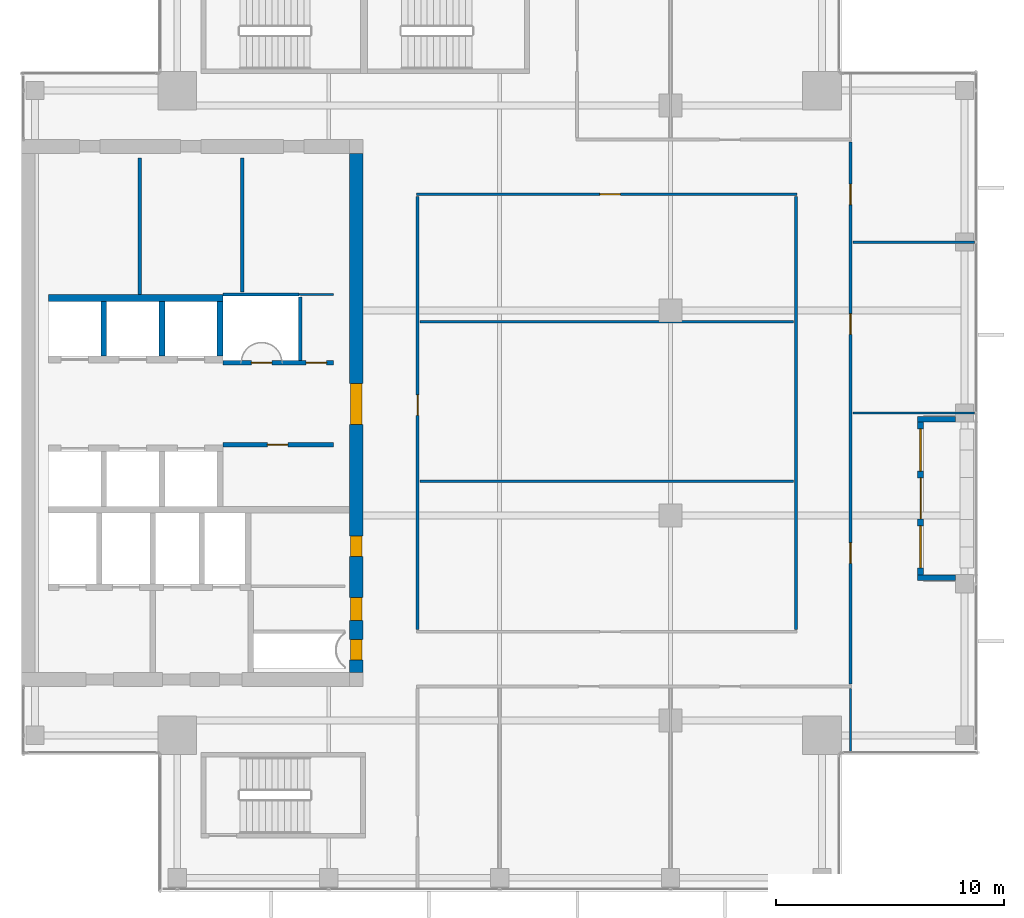
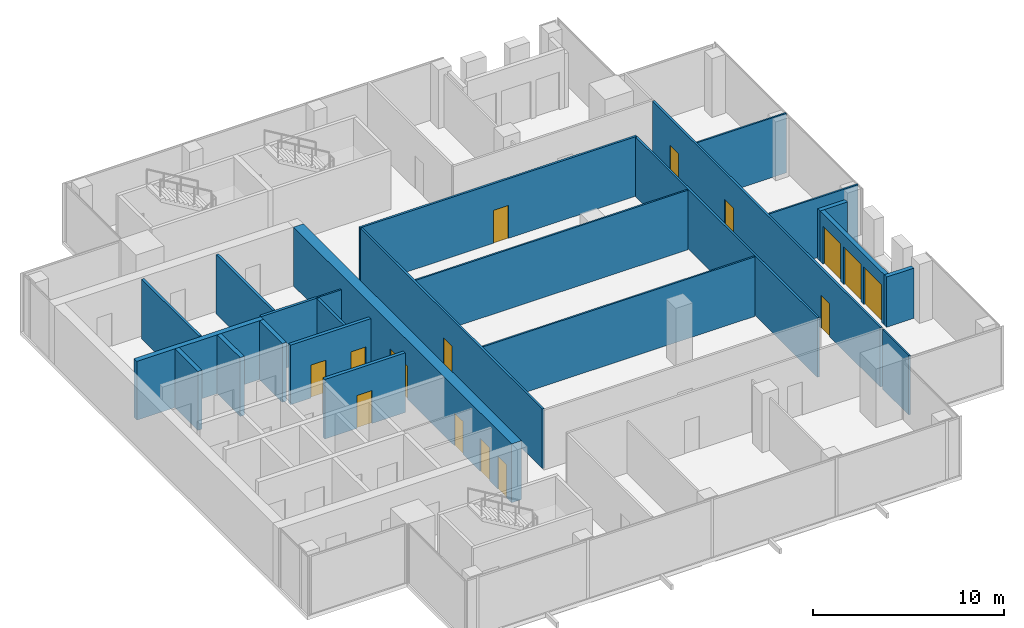
# One storey, part 25 of 29: 24 walls, 13 doors, 2 windows, 15 openings.
"""IFC4 building model written with IfcOpenShell, lengths in metres."""

from ifc_helpers import new_model, si_unit, direction, frame, frame_2d, origin, place, context, subcontext, project, spatial, rectangle, extrude, source, transform, mapped, material, layer, layer_set, type_object, element, fill, save


model = new_model("IFC4")

# Units and contexts
model_context = context("Model", 3, precision=1e-05, world=origin(), true_north=direction((0.0, 1.0)))
body_context = subcontext(model_context, "Body", "Model", "MODEL_VIEW")
ifc_project = project(units=[si_unit("LENGTHUNIT", "METRE"), si_unit("AREAUNIT", "SQUARE_METRE"), si_unit("VOLUMEUNIT", "CUBIC_METRE"), si_unit("PLANEANGLEUNIT", "RADIAN"), si_unit("MASSUNIT", "GRAM", prefix="KILO")], contexts=[model_context])

# Site, building, storey
site_placement = place(None, origin())
site = spatial("IfcSite", under=ifc_project, at=site_placement, CompositionType="ELEMENT")
building_placement = place(site_placement, origin())
building = spatial("IfcBuilding", under=site, at=building_placement, Name="Khomas Fold Tower", CompositionType="ELEMENT")
storey_placement = place(building_placement, frame((0.0, 0.0, 286.199951171875)))
storey = spatial("IfcBuildingStorey", under=building, at=storey_placement, Name="L64", CompositionType="ELEMENT", Elevation=286.199951171875)

# Walls
ifc_material_1 = material(Name="Concrete C50/60", Category="concrete")
ifc_layer_1 = layer(ifc_material_1, 0.25)
ifc_layer_set_1 = layer_set([ifc_layer_1], Name="Concrete C50/60")
wall_type_1 = type_object("IfcWallType", Name="Shaft wall 250", PredefinedType="STANDARD", material=ifc_layer_set_1)
shared_shape_1 = source(origin(), body_context, "Body", "SweptSolid", [
    extrude(rectangle(XDim=2.39990234375, YDim=0.25, at=frame_2d((1.199951171875, 0.0))), origin(), (0.0, 0.0, 1.0), 3.75),
])
for number, where, z_axis, x_axis, name in (
    (1, (9.625, 29.5, 0.0), (0.0, 0.0, 1.0), (0.0, 1.0, 0.0), "Core wall SW-HRN-P1"),
    (2, (12.175048828125, 29.5, 0.0), (0.0, 0.0, 1.0), (0.0, 1.0, 0.0), "Core wall SW-HRN-P2"),
    (3, (14.72509765625, 29.5, 0.0), (0.0, 0.0, 1.0), (0.0, 1.0, 0.0), "Core wall SW-HRN-PE"),
):
    element("IfcWall", number, at=place(storey_placement, frame(where, z_axis=z_axis, x_axis=x_axis)), inside=storey, type_object=wall_type_1, Name=name, PredefinedType="STANDARD", context=body_context, shape_type="MappedRepresentation", body=[
        mapped(shared_shape_1, transform((0.0, 0.0, 0.0))),
    ])

# Wall, openings, doors
ifc_material_2 = material(Name="Concrete C50/60", Category="concrete")
ifc_layer_2 = layer(ifc_material_2, 0.60009765625)
ifc_layer_set_2 = layer_set([ifc_layer_2], Name="Concrete C50/60")
wall_type_2 = type_object("IfcWallType", Name="Core wall 600", PredefinedType="SHEAR", material=ifc_layer_set_2)
shared_shape_2 = source(origin(), body_context, "Body", "SweptSolid", [
    extrude(rectangle(XDim=22.7998046875, YDim=0.60009765625, at=frame_2d((11.39990234375, 0.0))), origin(), (0.0, 0.0, 1.0), 3.75),
])
wall_1_placement = place(storey_placement, frame((20.699951171875, 15.60009765625, 0.0), z_axis=(0.0, 0.0, 1.0), x_axis=(0.0, 1.0, 0.0)))
wall_1 = element("IfcWall", 4, at=wall_1_placement, inside=storey, type_object=wall_type_2, Name="Core wall CW-U-E-L63", PredefinedType="SHEAR", context=body_context, shape_type="MappedRepresentation", body=[
    mapped(shared_shape_2, transform((0.0, 0.0, 0.0))),
])
shared_shape_3 = source(origin(), body_context, "Body", "SweptSolid", [
    extrude(rectangle(XDim=1.800048828125, YDim=2.10009765625, at=frame_2d((0.89990234375, 1.050048828125))), frame((0.0, 0.31005859375, 0.0), z_axis=(0.0, -1.0, 0.0), x_axis=(1.0, 0.0, 0.0)), (0.0, 0.0, 1.0), 0.6201171875),
])
opening_1_placement = place(wall_1_placement, frame((10.89990234375, 0.0, 0.0)))
opening_1 = element("IfcOpeningElement", 5, at=opening_1_placement, cuts=wall_1, Name="Opening 0015", PredefinedType="OPENING", context=body_context, shape_type="MappedRepresentation", body=[
    mapped(shared_shape_3, transform((0.0, 0.0, 0.0))),
])
shared_shape_4 = source(origin(), body_context, "Body", "SweptSolid", [
    extrude(rectangle(XDim=0.89990234375, YDim=2.10009765625, at=frame_2d((0.449951171875, 1.050048828125))), frame((0.0, 0.31005859375, 0.0), z_axis=(0.0, -1.0, 0.0), x_axis=(1.0, 0.0, 0.0)), (0.0, 0.0, 1.0), 0.6201171875),
])
opening_2_placement = place(wall_1_placement, frame((0.550048828125, 0.0, 0.0)))
opening_2 = element("IfcOpeningElement", 6, at=opening_2_placement, cuts=wall_1, Name="Opening 0003", PredefinedType="OPENING", context=body_context, shape_type="MappedRepresentation", body=[
    mapped(shared_shape_4, transform((0.0, 0.0, 0.0))),
])
shared_shape_5 = source(origin(), body_context, "Body", "SweptSolid", [
    extrude(rectangle(XDim=1.0, YDim=2.10009765625, at=frame_2d((0.5, 1.050048828125))), frame((0.0, 0.31005859375, 0.0), z_axis=(0.0, -1.0, 0.0), x_axis=(1.0, 0.0, 0.0)), (0.0, 0.0, 1.0), 0.6201171875),
])
opening_3_placement = place(wall_1_placement, frame((2.300048828125, 0.0, 0.0)))
opening_3 = element("IfcOpeningElement", 7, at=opening_3_placement, cuts=wall_1, Name="Opening 0006", PredefinedType="OPENING", context=body_context, shape_type="MappedRepresentation", body=[
    mapped(shared_shape_5, transform((0.0, 0.0, 0.0))),
])
opening_4_placement = place(wall_1_placement, frame((5.10009765625, 0.0, 0.0)))
opening_4 = element("IfcOpeningElement", 8, at=opening_4_placement, cuts=wall_1, Name="Opening 0008", PredefinedType="OPENING", context=body_context, shape_type="MappedRepresentation", body=[
    mapped(shared_shape_4, transform((0.0, 0.0, 0.0))),
])
ifc_material_3 = material(Name="Steel door leaf", Category="steel")
door_type_1 = type_object("IfcDoorType", Name="Lobby door 1800x2100", OperationType="DOUBLE_DOOR_SINGLE_SWING", PredefinedType="DOOR", material=ifc_material_3)
shared_shape_6 = source(origin(), body_context, "Body", "SweptSolid", [
    extrude(rectangle(XDim=1.800048828125, YDim=2.10009765625, at=frame_2d((0.89990234375, 1.050048828125))), frame((0.0, 0.25, 0.0), z_axis=(0.0, -1.0, 0.0), x_axis=(1.0, 0.0, 0.0)), (0.0, 0.0, 1.0), 0.5),
])
door_1_placement = place(opening_1_placement, origin())
door_1 = element("IfcDoor", 9, at=door_1_placement, inside=storey, type_object=door_type_1, Name="Lobby door", OperationType="DOUBLE_DOOR_SINGLE_SWING", OverallHeight=2.10009765625, OverallWidth=1.800048828125, PredefinedType="DOOR", context=body_context, shape_type="MappedRepresentation", body=[
    mapped(shared_shape_6, transform((0.0, 0.0, 0.0))),
])
fill(opening_1, door_1)
ifc_material_4 = material(Name="Steel door leaf", Category="steel")
door_type_2 = type_object("IfcDoorType", Name="Plant room door 900x2100 right-hand", OperationType="SINGLE_SWING_RIGHT", PredefinedType="DOOR", material=ifc_material_4)
shared_shape_7 = source(origin(), body_context, "Body", "SweptSolid", [
    extrude(rectangle(XDim=0.89990234375, YDim=2.10009765625, at=frame_2d((0.449951171875, 1.050048828125))), frame((0.0, 0.25, 0.0), z_axis=(0.0, -1.0, 0.0), x_axis=(1.0, 0.0, 0.0)), (0.0, 0.0, 1.0), 0.5),
])
door_2_placement = place(opening_2_placement, origin())
door_2 = element("IfcDoor", 10, at=door_2_placement, inside=storey, type_object=door_type_2, Name="Plant room door", OperationType="SINGLE_SWING_RIGHT", OverallHeight=2.10009765625, OverallWidth=0.89990234375, PredefinedType="DOOR", context=body_context, shape_type="MappedRepresentation", body=[
    mapped(shared_shape_7, transform((0.0, 0.0, 0.0))),
])
fill(opening_2, door_2)
ifc_material_5 = material(Name="Timber door leaf", Category="wood")
door_type_3 = type_object("IfcDoorType", Name="Door 900x2100 right-hand", OperationType="SINGLE_SWING_RIGHT", PredefinedType="DOOR", material=ifc_material_5)
door_3_placement = place(opening_4_placement, origin())
door_3 = element("IfcDoor", 11, at=door_3_placement, inside=storey, type_object=door_type_3, Name="Door", OperationType="SINGLE_SWING_RIGHT", OverallHeight=2.10009765625, OverallWidth=0.89990234375, PredefinedType="DOOR", context=body_context, shape_type="MappedRepresentation", body=[
    mapped(shared_shape_7, transform((0.0, 0.0, 0.0))),
])
fill(opening_4, door_3)
ifc_material_6 = material(Name="Timber door leaf", Category="wood")
door_type_4 = type_object("IfcDoorType", Name="WC door 1000x2100 right-hand", OperationType="SINGLE_SWING_RIGHT", PredefinedType="DOOR", material=ifc_material_6)
shared_shape_8 = source(origin(), body_context, "Body", "SweptSolid", [
    extrude(rectangle(XDim=1.0, YDim=2.10009765625, at=frame_2d((0.5, 1.050048828125))), frame((0.0, 0.25, 0.0), z_axis=(0.0, -1.0, 0.0), x_axis=(1.0, 0.0, 0.0)), (0.0, 0.0, 1.0), 0.5),
])
door_4_placement = place(opening_3_placement, origin())
door_4 = element("IfcDoor", 12, at=door_4_placement, inside=storey, type_object=door_type_4, Name="WC door", OperationType="SINGLE_SWING_RIGHT", OverallHeight=2.10009765625, OverallWidth=1.0, PredefinedType="DOOR", context=body_context, shape_type="MappedRepresentation", body=[
    mapped(shared_shape_8, transform((0.0, 0.0, 0.0))),
])
fill(opening_3, door_4)

# Wall
ifc_material_7 = material(Name="Concrete C50/60", Category="concrete")
ifc_layer_3 = layer(ifc_material_7, 0.300048828125)
ifc_layer_set_3 = layer_set([ifc_layer_3], Name="Concrete C50/60")
wall_type_3 = type_object("IfcWallType", Name="Shaft wall 300", PredefinedType="STANDARD", material=ifc_layer_set_3)
shared_shape_9 = source(origin(), body_context, "Body", "SweptSolid", [
    extrude(rectangle(XDim=7.650146484375, YDim=0.300048828125, at=frame_2d((3.8251953125, 0.0))), origin(), (0.0, 0.0, 1.0), 3.75),
])
wall_2_placement = place(storey_placement, frame((7.199951171875, 32.050048828125, 0.0), z_axis=(0.0, 0.0, 1.0), x_axis=(1.0, 0.0, 0.0)))
element("IfcWall", 13, at=wall_2_placement, inside=storey, type_object=wall_type_3, Name="Core wall SW-HRN-B", PredefinedType="STANDARD", context=body_context, shape_type="MappedRepresentation", body=[
    mapped(shared_shape_9, transform((0.0, 0.0, 0.0))),
])

# Wall, openings, door, windows
ifc_material_8 = material(Name="Natural stone", Category="masonry")
ifc_layer_4 = layer(ifc_material_8, 0.0400390625)
ifc_material_9 = material(Name="Mineral wool insulation", Category="insulation")
ifc_layer_5 = layer(ifc_material_9, 0.10009765625)
ifc_material_10 = material(Name="Masonry", Category="masonry")
ifc_layer_6 = layer(ifc_material_10, 0.110107421875)
ifc_layer_set_4 = layer_set([ifc_layer_4, ifc_layer_5, ifc_layer_6], Name="Stone-faced insulated masonry")
wall_type_4 = type_object("IfcWallType", Name="BL-Balcony wall", PredefinedType="SOLIDWALL", material=ifc_layer_set_4)
shared_shape_10 = source(origin(), body_context, "Body", "SweptSolid", [
    extrude(rectangle(XDim=6.7001953125, YDim=0.25, at=frame_2d((3.35009765625, 0.0))), origin(), (0.0, 0.0, 1.0), 3.199951171875),
])
wall_3_placement = place(storey_placement, frame((45.47509765625, 19.89990234375, 0.0), z_axis=(0.0, 0.0, 1.0), x_axis=(0.0, 1.0, 0.0)))
wall_3 = element("IfcWall", 14, at=wall_3_placement, inside=storey, type_object=wall_type_4, Name="Balcony wall BAL-L64-E2", PredefinedType="SOLIDWALL", context=body_context, shape_type="MappedRepresentation", body=[
    mapped(shared_shape_10, transform((0.0, 0.0, 0.0))),
])
shared_shape_11 = source(origin(), body_context, "Body", "SweptSolid", [
    extrude(rectangle(XDim=1.85009765625, YDim=2.39990234375, at=frame_2d((0.925048828125, 1.199951171875))), frame((0.0, 0.135009765625, 0.0), z_axis=(0.0, -1.0, 0.0), x_axis=(1.0, 0.0, 0.0)), (0.0, 0.0, 1.0), 0.27001953125),
])
opening_5_placement = place(wall_3_placement, frame((0.300048828125, 0.0, 0.0)))
opening_5 = element("IfcOpeningElement", 15, at=opening_5_placement, cuts=wall_3, Name="Opening BL-W7", PredefinedType="OPENING", context=body_context, shape_type="MappedRepresentation", body=[
    mapped(shared_shape_11, transform((0.0, 0.0, 0.0))),
])
opening_6_placement = place(wall_3_placement, frame((4.550048828125, 0.0, 0.0)))
opening_6 = element("IfcOpeningElement", 16, at=opening_6_placement, cuts=wall_3, Name="Opening BL-W7", PredefinedType="OPENING", context=body_context, shape_type="MappedRepresentation", body=[
    mapped(shared_shape_11, transform((0.0, 0.0, 0.0))),
])
shared_shape_12 = source(origin(), body_context, "Body", "SweptSolid", [
    extrude(rectangle(XDim=1.800048828125, YDim=2.39990234375, at=frame_2d((0.89990234375, 1.199951171875))), frame((0.0, 0.135009765625, 0.0), z_axis=(0.0, -1.0, 0.0), x_axis=(1.0, 0.0, 0.0)), (0.0, 0.0, 1.0), 0.27001953125),
])
opening_7_placement = place(wall_3_placement, frame((2.449951171875, 0.0, 0.0)))
opening_7 = element("IfcOpeningElement", 17, at=opening_7_placement, cuts=wall_3, Name="Opening BD642", PredefinedType="OPENING", context=body_context, shape_type="MappedRepresentation", body=[
    mapped(shared_shape_12, transform((0.0, 0.0, 0.0))),
])
ifc_material_11 = material(Name="Aluminium framed double glazing", Category="aluminium")
door_type_5 = type_object("IfcDoorType", Name="BL-Glazed balcony door 1800 x 2400", OperationType="DOUBLE_DOOR_DOUBLE_SWING", PredefinedType="DOOR", material=ifc_material_11)
shared_shape_13 = source(origin(), body_context, "Body", "SweptSolid", [
    extrude(rectangle(XDim=1.800048828125, YDim=2.39990234375, at=frame_2d((0.89990234375, 1.199951171875))), frame((0.0, 0.02490234375, 0.0), z_axis=(0.0, -1.0, 0.0), x_axis=(1.0, 0.0, 0.0)), (0.0, 0.0, 1.0), 0.050048828125),
])
door_5_placement = place(opening_7_placement, origin())
door_5 = element("IfcDoor", 18, at=door_5_placement, inside=storey, type_object=door_type_5, Name="Balcony door BD642", OperationType="DOUBLE_DOOR_DOUBLE_SWING", OverallHeight=2.39990234375, OverallWidth=1.800048828125, PredefinedType="DOOR", context=body_context, shape_type="MappedRepresentation", body=[
    mapped(shared_shape_13, transform((0.0, 0.0, 0.0))),
])
fill(opening_7, door_5)
ifc_material_12 = material(Name="Aluminium framed double glazing", Category="aluminium")
window_type = type_object("IfcWindowType", Name="BL-Fixed glazing 1850 x 2400", PartitioningType="SINGLE_PANEL", PredefinedType="WINDOW", material=ifc_material_12)
shared_shape_14 = source(origin(), body_context, "Body", "SweptSolid", [
    extrude(rectangle(XDim=1.85009765625, YDim=2.39990234375, at=frame_2d((0.925048828125, 1.199951171875))), frame((0.0, 0.030029296875, 0.0), z_axis=(0.0, -1.0, 0.0), x_axis=(1.0, 0.0, 0.0)), (0.0, 0.0, 1.0), 0.06005859375),
])
window_1_placement = place(opening_5_placement, origin())
window_1 = element("IfcWindow", 19, at=window_1_placement, inside=storey, type_object=window_type, Name="Balcony glazing BAL-L64-E2-1", OverallHeight=2.39990234375, OverallWidth=1.85009765625, PartitioningType="SINGLE_PANEL", PredefinedType="WINDOW", context=body_context, shape_type="MappedRepresentation", body=[
    mapped(shared_shape_14, transform((0.0, 0.0, 0.0))),
])
fill(opening_5, window_1)
window_2_placement = place(opening_6_placement, origin())
window_2 = element("IfcWindow", 20, at=window_2_placement, inside=storey, type_object=window_type, Name="Balcony glazing BAL-L64-E2-2", OverallHeight=2.39990234375, OverallWidth=1.85009765625, PartitioningType="SINGLE_PANEL", PredefinedType="WINDOW", context=body_context, shape_type="MappedRepresentation", body=[
    mapped(shared_shape_14, transform((0.0, 0.0, 0.0))),
])
fill(opening_6, window_2)

# Walls
shared_shape_15 = source(origin(), body_context, "Body", "SweptSolid", [
    extrude(rectangle(XDim=1.64990234375, YDim=0.25, at=frame_2d((0.824951171875, 0.0))), origin(), (0.0, 0.0, 1.0), 3.199951171875),
])
for number, where, z_axis, x_axis, name in (
    (21, (47.0, 19.77490234375, 0.0), (0.0, 0.0, 1.0), (-1.0, 0.0, 0.0), "Balcony return wall BAL-L64-E2-lo"),
    (22, (47.0, 26.72509765625, 0.0), (0.0, 0.0, 1.0), (-1.0, 0.0, 0.0), "Balcony return wall BAL-L64-E2-hi"),
):
    element("IfcWall", number, at=place(storey_placement, frame(where, z_axis=z_axis, x_axis=x_axis)), inside=storey, type_object=wall_type_4, Name=name, PredefinedType="SOLIDWALL", context=body_context, shape_type="MappedRepresentation", body=[
        mapped(shared_shape_15, transform((0.0, 0.0, 0.0))),
    ])
ifc_material_13 = material(Name="Plasterboard fire partition")
ifc_layer_7 = layer(ifc_material_13, 0.14990234375)
ifc_layer_set_5 = layer_set([ifc_layer_7], Name="Plasterboard fire partition")
wall_type_5 = type_object("IfcWallType", Name="Plant room wall PW3 150", PredefinedType="PARTITIONING", material=ifc_layer_set_5)
shared_shape_16 = source(origin(), body_context, "Body", "SweptSolid", [
    extrude(rectangle(XDim=6.0, YDim=0.14990234375, at=frame_2d((3.0, 0.0))), origin(), (0.0, 0.0, 1.0), 3.800048828125),
])
wall_4_placement = place(storey_placement, frame((11.199951171875, 32.199951171875, 0.0), z_axis=(0.0, 0.0, 1.0), x_axis=(0.0, 1.0, 0.0)))
element("IfcWall", 23, at=wall_4_placement, inside=storey, type_object=wall_type_5, Name="Plant room wall", PredefinedType="PARTITIONING", context=body_context, shape_type="MappedRepresentation", body=[
    mapped(shared_shape_16, transform((0.0, 0.0, 0.0))),
])

# Wall, opening, door
ifc_material_14 = material(Name="Plasterboard partition")
ifc_layer_8 = layer(ifc_material_14, 0.125)
ifc_layer_set_6 = layer_set([ifc_layer_8], Name="Plasterboard partition")
wall_type_6 = type_object("IfcWallType", Name="Partition PW2 125", PredefinedType="PARTITIONING", material=ifc_layer_set_6)
shared_shape_17 = source(origin(), body_context, "Body", "SweptSolid", [
    extrude(rectangle(XDim=19.0, YDim=0.125, at=frame_2d((9.5, 0.0))), origin(), (0.0, 0.0, 1.0), 3.800048828125),
])
wall_5_placement = place(storey_placement, frame((23.39990234375, 17.5, 0.0), z_axis=(0.0, 0.0, 1.0), x_axis=(0.0, 1.0, 0.0)))
wall_5 = element("IfcWall", 24, at=wall_5_placement, inside=storey, type_object=wall_type_6, Name="Partition", PredefinedType="PARTITIONING", context=body_context, shape_type="MappedRepresentation", body=[
    mapped(shared_shape_17, transform((0.0, 0.0, 0.0))),
])
shared_shape_18 = source(origin(), body_context, "Body", "SweptSolid", [
    extrude(rectangle(XDim=0.89990234375, YDim=2.10009765625, at=frame_2d((0.449951171875, 1.050048828125))), frame((0.0, 0.072509765625, 0.0), z_axis=(0.0, -1.0, 0.0), x_axis=(1.0, 0.0, 0.0)), (0.0, 0.0, 1.0), 0.14501953125),
])
opening_8_placement = place(wall_5_placement, frame((9.39990234375, 0.0, 0.0)))
opening_8 = element("IfcOpeningElement", 25, at=opening_8_placement, cuts=wall_5, Name="Opening 0007", PredefinedType="OPENING", context=body_context, shape_type="MappedRepresentation", body=[
    mapped(shared_shape_18, transform((0.0, 0.0, 0.0))),
])
ifc_material_15 = material(Name="Timber door leaf", Category="wood")
door_type_6 = type_object("IfcDoorType", Name="Door 900x2100 left-hand", OperationType="SINGLE_SWING_LEFT", PredefinedType="DOOR", material=ifc_material_15)
shared_shape_19 = source(origin(), body_context, "Body", "SweptSolid", [
    extrude(rectangle(XDim=0.89990234375, YDim=2.10009765625, at=frame_2d((0.449951171875, 1.050048828125))), frame((0.0, 0.02490234375, 0.0), z_axis=(0.0, -1.0, 0.0), x_axis=(1.0, 0.0, 0.0)), (0.0, 0.0, 1.0), 0.050048828125),
])
door_6_placement = place(opening_8_placement, origin())
door_6 = element("IfcDoor", 26, at=door_6_placement, inside=storey, type_object=door_type_6, Name="Door", OperationType="SINGLE_SWING_LEFT", OverallHeight=2.10009765625, OverallWidth=0.89990234375, PredefinedType="DOOR", context=body_context, shape_type="MappedRepresentation", body=[
    mapped(shared_shape_19, transform((0.0, 0.0, 0.0))),
])
fill(opening_8, door_6)

# Wall
wall_6_placement = place(storey_placement, frame((40.0, 17.5, 0.0), z_axis=(0.0, 0.0, 1.0), x_axis=(0.0, 1.0, 0.0)))
element("IfcWall", 27, at=wall_6_placement, inside=storey, type_object=wall_type_6, Name="Partition", PredefinedType="PARTITIONING", context=body_context, shape_type="MappedRepresentation", body=[
    mapped(shared_shape_17, transform((0.0, 0.0, 0.0))),
])

# Wall, opening, door
ifc_material_16 = material(Name="Concrete C30/37", Category="concrete")
ifc_layer_9 = layer(ifc_material_16, 0.199951171875)
ifc_layer_set_7 = layer_set([ifc_layer_9], Name="Concrete C30/37")
wall_type_7 = type_object("IfcWallType", Name="Lobby wall PW4 200", PredefinedType="PARTITIONING", material=ifc_layer_set_7)
shared_shape_20 = source(origin(), body_context, "Body", "SweptSolid", [
    extrude(rectangle(XDim=4.849853515625, YDim=0.199951171875, at=frame_2d((2.4248046875, 0.0))), origin(), (0.0, 0.0, 1.0), 3.800048828125),
])
wall_7_placement = place(storey_placement, frame((14.85009765625, 25.60009765625, 0.0), z_axis=(0.0, 0.0, 1.0), x_axis=(1.0, 0.0, 0.0)))
wall_7 = element("IfcWall", 28, at=wall_7_placement, inside=storey, type_object=wall_type_7, Name="Lobby wall", PredefinedType="PARTITIONING", context=body_context, shape_type="MappedRepresentation", body=[
    mapped(shared_shape_20, transform((0.0, 0.0, 0.0))),
])
shared_shape_21 = source(origin(), body_context, "Body", "SweptSolid", [
    extrude(rectangle(XDim=0.89990234375, YDim=2.10009765625, at=frame_2d((0.449951171875, 1.050048828125))), frame((0.0, 0.10986328125, 0.0), z_axis=(0.0, -1.0, 0.0), x_axis=(1.0, 0.0, 0.0)), (0.0, 0.0, 1.0), 0.219970703125),
])
opening_9_placement = place(wall_7_placement, frame((1.949951171875, 0.0, 0.0)))
opening_9 = element("IfcOpeningElement", 29, at=opening_9_placement, cuts=wall_7, Name="Opening 0024", PredefinedType="OPENING", context=body_context, shape_type="MappedRepresentation", body=[
    mapped(shared_shape_21, transform((0.0, 0.0, 0.0))),
])
ifc_material_17 = material(Name="Steel door leaf", Category="steel")
door_type_7 = type_object("IfcDoorType", Name="Lobby door 900x2100 right-hand", OperationType="SINGLE_SWING_RIGHT", PredefinedType="DOOR", material=ifc_material_17)
door_7_placement = place(opening_9_placement, origin())
door_7 = element("IfcDoor", 30, at=door_7_placement, inside=storey, type_object=door_type_7, Name="Lobby door", OperationType="SINGLE_SWING_RIGHT", OverallHeight=2.10009765625, OverallWidth=0.89990234375, PredefinedType="DOOR", context=body_context, shape_type="MappedRepresentation", body=[
    mapped(shared_shape_19, transform((0.0, 0.0, 0.0))),
])
fill(opening_9, door_7)

# Wall, openings, doors
wall_8_placement = place(storey_placement, frame((14.85009765625, 29.199951171875, 0.0), z_axis=(0.0, 0.0, 1.0), x_axis=(1.0, 0.0, 0.0)))
wall_8 = element("IfcWall", 31, at=wall_8_placement, inside=storey, type_object=wall_type_7, Name="Lobby wall", PredefinedType="PARTITIONING", context=body_context, shape_type="MappedRepresentation", body=[
    mapped(shared_shape_20, transform((0.0, 0.0, 0.0))),
])
opening_10_placement = place(wall_8_placement, frame((1.25, 0.0, 0.0)))
opening_10 = element("IfcOpeningElement", 32, at=opening_10_placement, cuts=wall_8, Name="Opening 0003", PredefinedType="OPENING", context=body_context, shape_type="MappedRepresentation", body=[
    mapped(shared_shape_21, transform((0.0, 0.0, 0.0))),
])
opening_11_placement = place(wall_8_placement, frame((3.64990234375, 0.0, 0.0)))
opening_11 = element("IfcOpeningElement", 33, at=opening_11_placement, cuts=wall_8, Name="Opening 0021", PredefinedType="OPENING", context=body_context, shape_type="MappedRepresentation", body=[
    mapped(shared_shape_21, transform((0.0, 0.0, 0.0))),
])
door_8_placement = place(opening_10_placement, origin())
door_8 = element("IfcDoor", 34, at=door_8_placement, inside=storey, type_object=door_type_2, Name="Plant room door", OperationType="SINGLE_SWING_RIGHT", OverallHeight=2.10009765625, OverallWidth=0.89990234375, PredefinedType="DOOR", context=body_context, shape_type="MappedRepresentation", body=[
    mapped(shared_shape_19, transform((0.0, 0.0, 0.0))),
])
fill(opening_10, door_8)
ifc_material_18 = material(Name="Steel door leaf", Category="steel")
door_type_8 = type_object("IfcDoorType", Name="Lobby door 900x2100 left-hand", OperationType="SINGLE_SWING_LEFT", PredefinedType="DOOR", material=ifc_material_18)
door_9_placement = place(opening_11_placement, origin())
door_9 = element("IfcDoor", 35, at=door_9_placement, inside=storey, type_object=door_type_8, Name="Lobby door", OperationType="SINGLE_SWING_LEFT", OverallHeight=2.10009765625, OverallWidth=0.89990234375, PredefinedType="DOOR", context=body_context, shape_type="MappedRepresentation", body=[
    mapped(shared_shape_19, transform((0.0, 0.0, 0.0))),
])
fill(opening_11, door_9)

# Walls
shared_shape_22 = source(origin(), body_context, "Body", "SweptSolid", [
    extrude(rectangle(XDim=2.800048828125, YDim=0.14990234375, at=frame_2d((1.39990234375, 0.0))), origin(), (0.0, 0.0, 1.0), 3.800048828125),
])
wall_9_placement = place(storey_placement, frame((18.25, 29.300048828125, 0.0), z_axis=(0.0, 0.0, 1.0), x_axis=(0.0, 1.0, 0.0)))
element("IfcWall", 36, at=wall_9_placement, inside=storey, type_object=wall_type_5, Name="Plant room wall", PredefinedType="PARTITIONING", context=body_context, shape_type="MappedRepresentation", body=[
    mapped(shared_shape_22, transform((0.0, 0.0, 0.0))),
])
ifc_material_19 = material(Name="Plasterboard partition")
ifc_layer_10 = layer(ifc_material_19, 0.10009765625)
ifc_layer_set_8 = layer_set([ifc_layer_10], Name="Plasterboard partition")
wall_type_8 = type_object("IfcWallType", Name="Partition PW1 100", PredefinedType="PARTITIONING", material=ifc_layer_set_8)
shared_shape_23 = source(origin(), body_context, "Body", "SweptSolid", [
    extrude(rectangle(XDim=2.75, YDim=0.10009765625, at=frame_2d((1.375, 0.0))), origin(), (0.0, 0.0, 1.0), 3.800048828125),
])
wall_10_placement = place(storey_placement, frame((42.39990234375, 12.14990234375, 0.0), z_axis=(0.0, 0.0, 1.0), x_axis=(0.0, 1.0, 0.0)))
element("IfcWall", 37, at=wall_10_placement, inside=storey, type_object=wall_type_8, Name="Partition", PredefinedType="PARTITIONING", context=body_context, shape_type="MappedRepresentation", body=[
    mapped(shared_shape_23, transform((0.0, 0.0, 0.0))),
])

# Wall, openings, doors
shared_shape_24 = source(origin(), body_context, "Body", "SweptSolid", [
    extrude(rectangle(XDim=23.7998046875, YDim=0.125, at=frame_2d((11.89990234375, 0.0))), origin(), (0.0, 0.0, 1.0), 3.800048828125),
])
wall_11_placement = place(storey_placement, frame((42.39990234375, 15.10009765625, 0.0), z_axis=(0.0, 0.0, 1.0), x_axis=(0.0, 1.0, 0.0)))
wall_11 = element("IfcWall", 38, at=wall_11_placement, inside=storey, type_object=wall_type_6, Name="Partition", PredefinedType="PARTITIONING", context=body_context, shape_type="MappedRepresentation", body=[
    mapped(shared_shape_24, transform((0.0, 0.0, 0.0))),
])
opening_12_placement = place(wall_11_placement, frame((5.300048828125, 0.0, 0.0)))
opening_12 = element("IfcOpeningElement", 39, at=opening_12_placement, cuts=wall_11, Name="Opening 0007", PredefinedType="OPENING", context=body_context, shape_type="MappedRepresentation", body=[
    mapped(shared_shape_18, transform((0.0, 0.0, 0.0))),
])
opening_13_placement = place(wall_11_placement, frame((15.35009765625, 0.0, 0.0)))
opening_13 = element("IfcOpeningElement", 40, at=opening_13_placement, cuts=wall_11, Name="Opening 0008", PredefinedType="OPENING", context=body_context, shape_type="MappedRepresentation", body=[
    mapped(shared_shape_18, transform((0.0, 0.0, 0.0))),
])
opening_14_placement = place(wall_11_placement, frame((21.050048828125, 0.0, 0.0)))
opening_14 = element("IfcOpeningElement", 41, at=opening_14_placement, cuts=wall_11, Name="Opening 0007", PredefinedType="OPENING", context=body_context, shape_type="MappedRepresentation", body=[
    mapped(shared_shape_18, transform((0.0, 0.0, 0.0))),
])
door_10_placement = place(opening_12_placement, origin())
door_10 = element("IfcDoor", 42, at=door_10_placement, inside=storey, type_object=door_type_6, Name="Door", OperationType="SINGLE_SWING_LEFT", OverallHeight=2.10009765625, OverallWidth=0.89990234375, PredefinedType="DOOR", context=body_context, shape_type="MappedRepresentation", body=[
    mapped(shared_shape_19, transform((0.0, 0.0, 0.0))),
])
fill(opening_12, door_10)
door_11_placement = place(opening_13_placement, origin())
door_11 = element("IfcDoor", 43, at=door_11_placement, inside=storey, type_object=door_type_3, Name="Door", OperationType="SINGLE_SWING_RIGHT", OverallHeight=2.10009765625, OverallWidth=0.89990234375, PredefinedType="DOOR", context=body_context, shape_type="MappedRepresentation", body=[
    mapped(shared_shape_19, transform((0.0, 0.0, 0.0))),
])
fill(opening_13, door_11)
door_12_placement = place(opening_14_placement, origin())
door_12 = element("IfcDoor", 44, at=door_12_placement, inside=storey, type_object=door_type_6, Name="Door", OperationType="SINGLE_SWING_LEFT", OverallHeight=2.10009765625, OverallWidth=0.89990234375, PredefinedType="DOOR", context=body_context, shape_type="MappedRepresentation", body=[
    mapped(shared_shape_19, transform((0.0, 0.0, 0.0))),
])
fill(opening_14, door_12)

# Wall, opening, door
shared_shape_25 = source(origin(), body_context, "Body", "SweptSolid", [
    extrude(rectangle(XDim=16.699951171875, YDim=0.125, at=frame_2d((8.35009765625, 0.0))), origin(), (0.0, 0.0, 1.0), 3.800048828125),
])
wall_12_placement = place(storey_placement, frame((23.35009765625, 36.60009765625, 0.0), z_axis=(0.0, 0.0, 1.0), x_axis=(1.0, 0.0, 0.0)))
wall_12 = element("IfcWall", 45, at=wall_12_placement, inside=storey, type_object=wall_type_6, Name="Partition", PredefinedType="PARTITIONING", context=body_context, shape_type="MappedRepresentation", body=[
    mapped(shared_shape_25, transform((0.0, 0.0, 0.0))),
])
opening_15_placement = place(wall_12_placement, frame((8.050048828125, 0.0, 0.0)))
opening_15 = element("IfcOpeningElement", 46, at=opening_15_placement, cuts=wall_12, Name="Opening 0008", PredefinedType="OPENING", context=body_context, shape_type="MappedRepresentation", body=[
    mapped(shared_shape_18, transform((0.0, 0.0, 0.0))),
])
door_13_placement = place(opening_15_placement, origin())
door_13 = element("IfcDoor", 47, at=door_13_placement, inside=storey, type_object=door_type_3, Name="Door", OperationType="SINGLE_SWING_RIGHT", OverallHeight=2.10009765625, OverallWidth=0.89990234375, PredefinedType="DOOR", context=body_context, shape_type="MappedRepresentation", body=[
    mapped(shared_shape_19, transform((0.0, 0.0, 0.0))),
])
fill(opening_15, door_13)

# Walls
shared_shape_26 = source(origin(), body_context, "Body", "SweptSolid", [
    extrude(rectangle(XDim=16.39990234375, YDim=0.10009765625, at=frame_2d((8.199951171875, 0.0))), origin(), (0.0, 0.0, 1.0), 3.800048828125),
])
for number, where, z_axis, x_axis, name in (
    (48, (23.5, 24.0, 0.0), (0.0, 0.0, 1.0), (1.0, 0.0, 0.0), "Partition"),
    (49, (23.5, 31.0, 0.0), (0.0, 0.0, 1.0), (1.0, 0.0, 0.0), "Partition"),
):
    element("IfcWall", number, at=place(storey_placement, frame(where, z_axis=z_axis, x_axis=x_axis)), inside=storey, type_object=wall_type_8, Name=name, PredefinedType="PARTITIONING", context=body_context, shape_type="MappedRepresentation", body=[
        mapped(shared_shape_26, transform((0.0, 0.0, 0.0))),
    ])
shared_shape_27 = source(origin(), body_context, "Body", "SweptSolid", [
    extrude(rectangle(XDim=5.35009765625, YDim=0.10009765625, at=frame_2d((2.675048828125, 0.0))), origin(), (0.0, 0.0, 1.0), 3.800048828125),
])
for number, where, z_axis, x_axis, name in (
    (50, (42.5, 27.0, 0.0), (0.0, 0.0, 1.0), (1.0, 0.0, 0.0), "Partition"),
    (51, (42.5, 34.5, 0.0), (0.0, 0.0, 1.0), (1.0, 0.0, 0.0), "Partition"),
):
    element("IfcWall", number, at=place(storey_placement, frame(where, z_axis=z_axis, x_axis=x_axis)), inside=storey, type_object=wall_type_8, Name=name, PredefinedType="PARTITIONING", context=body_context, shape_type="MappedRepresentation", body=[
        mapped(shared_shape_27, transform((0.0, 0.0, 0.0))),
    ])
shared_shape_28 = source(origin(), body_context, "Body", "SweptSolid", [
    extrude(rectangle(XDim=3.349853515625, YDim=0.14990234375, at=frame_2d((1.6748046875, 0.0))), origin(), (0.0, 0.0, 1.0), 3.800048828125),
])
wall_13_placement = place(storey_placement, frame((14.85009765625, 32.199951171875, 0.0), z_axis=(0.0, 0.0, 1.0), x_axis=(1.0, 0.0, 0.0)))
element("IfcWall", 52, at=wall_13_placement, inside=storey, type_object=wall_type_5, Name="Plant room wall", PredefinedType="PARTITIONING", context=body_context, shape_type="MappedRepresentation", body=[
    mapped(shared_shape_28, transform((0.0, 0.0, 0.0))),
])
shared_shape_29 = source(origin(), body_context, "Body", "SweptSolid", [
    extrude(rectangle(XDim=1.5, YDim=0.10009765625, at=frame_2d((0.75, 0.0))), origin(), (0.0, 0.0, 1.0), 3.800048828125),
])
wall_14_placement = place(storey_placement, frame((18.199951171875, 32.199951171875, 0.0), z_axis=(0.0, 0.0, 1.0), x_axis=(1.0, 0.0, 0.0)))
element("IfcWall", 53, at=wall_14_placement, inside=storey, type_object=wall_type_8, Name="Partition", PredefinedType="PARTITIONING", context=body_context, shape_type="MappedRepresentation", body=[
    mapped(shared_shape_29, transform((0.0, 0.0, 0.0))),
])
shared_shape_30 = source(origin(), body_context, "Body", "SweptSolid", [
    extrude(rectangle(XDim=5.89990234375, YDim=0.14990234375, at=frame_2d((2.949951171875, 0.0))), origin(), (0.0, 0.0, 1.0), 3.800048828125),
])
wall_15_placement = place(storey_placement, frame((15.699951171875, 32.300048828125, 0.0), z_axis=(0.0, 0.0, 1.0), x_axis=(0.0, 1.0, 0.0)))
element("IfcWall", 54, at=wall_15_placement, inside=storey, type_object=wall_type_5, Name="Plant room wall", PredefinedType="PARTITIONING", context=body_context, shape_type="MappedRepresentation", body=[
    mapped(shared_shape_30, transform((0.0, 0.0, 0.0))),
])

save(model, "model.ifc")
